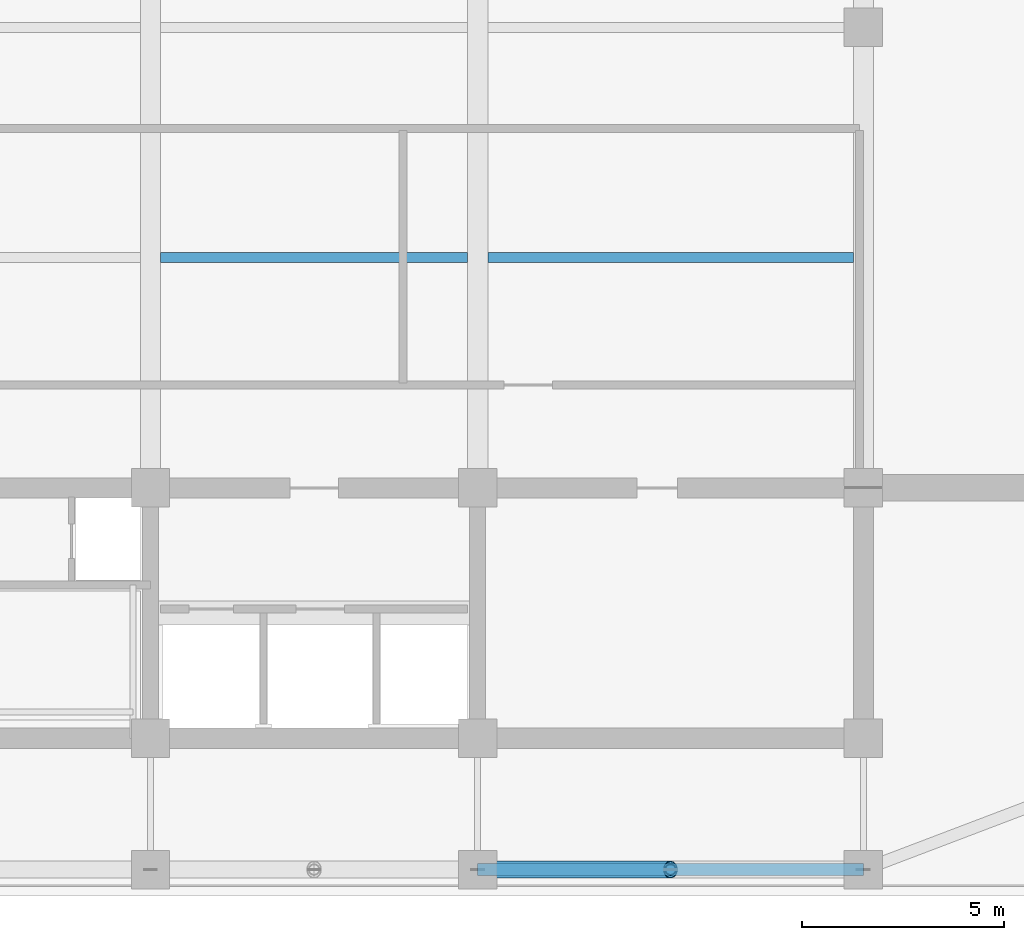
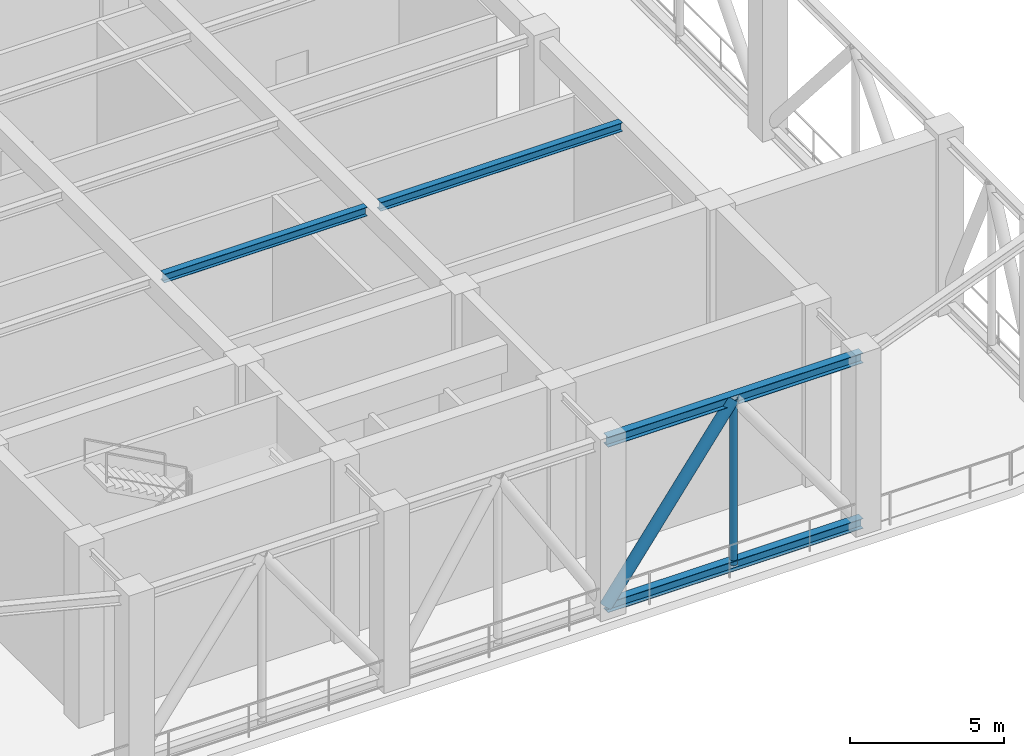
# One storey, part 3 of 20: 4 beams, 2 members.
"""IFC4 building model written with IfcOpenShell, lengths in metres."""

from ifc_helpers import new_model, si_unit, direction, frame, origin, origin_2d, place, context, subcontext, project, spatial, hollow_circle, i_section, extrude, material, material_profile, profile_set, type_object, element, save


model = new_model("IFC4")

# Units and contexts
model_context = context("Model", 3, precision=1e-05, world=origin(), true_north=direction((0.0, 1.0)))
body_context = subcontext(model_context, "Body", "Model", "MODEL_VIEW")
ifc_project = project(units=[si_unit("LENGTHUNIT", "METRE"), si_unit("AREAUNIT", "SQUARE_METRE"), si_unit("VOLUMEUNIT", "CUBIC_METRE"), si_unit("PLANEANGLEUNIT", "RADIAN"), si_unit("MASSUNIT", "GRAM", prefix="KILO")], contexts=[model_context])

# Site, building, storey
site_placement = place(None, origin())
site = spatial("IfcSite", under=ifc_project, at=site_placement, CompositionType="ELEMENT")
building_placement = place(site_placement, origin())
building = spatial("IfcBuilding", under=site, at=building_placement, Name="Svetorya Sky Lyceum", CompositionType="ELEMENT")
storey_placement = place(building_placement, frame((0.0, 0.0, 195.89990234375)))
storey = spatial("IfcBuildingStorey", under=building, at=storey_placement, Name="L49", CompositionType="ELEMENT", Elevation=195.89990234375)

# Beams
ifc_material = material(Name="Steel S355", Category="steel")
ifc_material_profile_1 = material_profile(ifc_material, i_section(OverallWidth=0.25, OverallDepth=0.345947265625, WebThickness=0.009521484375, FlangeThickness=0.014404296875, at=origin_2d()), Name="GOST 35Sh2")
ifc_profile_set_1 = profile_set([ifc_material_profile_1], Name="Steel S355")
beam_type_1 = type_object("IfcBeamType", Name="BM-STL-35SH2", PredefinedType="BEAM", material=ifc_profile_set_1)
beam_1_placement = place(storey_placement, frame((35.39990234375, 22.5, 6.76708984375), z_axis=(1.0, 0.0, 0.0), x_axis=(0.0, 1.0, 0.0)))
element("IfcBeam", 1, at=beam_1_placement, inside=storey, type_object=beam_type_1, Name="L49 Central Floor Joist CJ-1.2", PredefinedType="BEAM", context=body_context, shape_type="SweptSolid", body=[
    extrude(i_section(OverallWidth=0.25, OverallDepth=0.345947265625, WebThickness=0.009521484375, FlangeThickness=0.014404296875, at=origin_2d()), origin(), (0.0, 0.0, 1.0), 7.60009765625),
])
beam_2_placement = place(storey_placement, frame((43.5, 22.5, 6.76708984375), z_axis=(1.0, 0.0, 0.0), x_axis=(0.0, 1.0, 0.0)))
element("IfcBeam", 2, at=beam_2_placement, inside=storey, type_object=beam_type_1, Name="L49 Central Floor Joist CJ-1.3", PredefinedType="BEAM", context=body_context, shape_type="SweptSolid", body=[
    extrude(i_section(OverallWidth=0.25, OverallDepth=0.345947265625, WebThickness=0.009521484375, FlangeThickness=0.014404296875, at=origin_2d()), origin(), (0.0, 0.0, 1.0), 9.050048828125),
])
ifc_material_profile_2 = material_profile(ifc_material, i_section(OverallWidth=0.300048828125, OverallDepth=0.39404296875, WebThickness=0.010986328125, FlangeThickness=0.0166015625, at=origin_2d()), Name="GOST 40Sh2")
ifc_profile_set_2 = profile_set([ifc_material_profile_2], Name="Steel S355")
beam_type_2 = type_object("IfcBeamType", Name="BM-STL-40SH2", PredefinedType="BEAM", material=ifc_profile_set_2)
for number, where, z_axis, x_axis, name in (
    (3, (43.25, 7.35009765625, 0.197021484375), (1.0, 0.0, 0.0), (0.0, 1.0, 0.0), "L49 Belt Truss Bottom Chord S-3"),
    (4, (43.25, 7.35009765625, 6.7431640625), (1.0, 0.0, 0.0), (0.0, 1.0, 0.0), "L49 Belt Truss Top Chord S-3"),
):
    element("IfcBeam", number, at=place(storey_placement, frame(where, z_axis=z_axis, x_axis=x_axis)), inside=storey, type_object=beam_type_2, Name=name, PredefinedType="BEAM", context=body_context, shape_type="SweptSolid", body=[
        extrude(i_section(OverallWidth=0.300048828125, OverallDepth=0.39404296875, WebThickness=0.010986328125, FlangeThickness=0.0166015625, at=origin_2d()), origin(), (0.0, 0.0, 1.0), 9.550048828125),
    ])

# Members
ifc_material_profile_3 = material_profile(ifc_material, hollow_circle(Radius=0.212890625, WallThickness=0.01806640625, at=origin_2d()), Name="CHS 426x18")
ifc_profile_set_3 = profile_set([ifc_material_profile_3], Name="Steel S355")
member_type_1 = type_object("IfcMemberType", Name="MB-BRC-CHS426", PredefinedType="BRACE", material=ifc_profile_set_3)
member_1_placement = place(storey_placement, frame((43.25, 7.35009765625, 0.197021484375), z_axis=(0.589306984241, 0.0, 0.807909201782), x_axis=(0.0, 1.0, 0.0)))
element("IfcMember", 5, at=member_1_placement, inside=storey, type_object=member_type_1, Name="L49 Belt Truss Diagonal S-3A", PredefinedType="BRACE", context=body_context, shape_type="SweptSolid", body=[
    extrude(hollow_circle(Radius=0.212890625, WallThickness=0.01806640625, at=origin_2d()), origin(), (0.0, 0.0, 1.0), 8.1025390625),
])
ifc_material_profile_4 = material_profile(ifc_material, hollow_circle(Radius=0.136474609375, WallThickness=0.011962890625, at=origin_2d()), Name="CHS 273x12")
ifc_profile_set_4 = profile_set([ifc_material_profile_4], Name="Steel S355")
member_type_2 = type_object("IfcMemberType", Name="MB-STR-CHS273", PredefinedType="STRUT", material=ifc_profile_set_4)
member_2_placement = place(storey_placement, frame((48.02490234375, 7.35009765625, 0.197021484375), z_axis=(0.0, 0.0, 1.0), x_axis=(1.0, 0.0, 0.0)))
element("IfcMember", 6, at=member_2_placement, inside=storey, type_object=member_type_2, Name="L49 Belt Truss Post S-3", PredefinedType="STRUT", context=body_context, shape_type="SweptSolid", body=[
    extrude(hollow_circle(Radius=0.136474609375, WallThickness=0.011962890625, at=origin_2d()), origin(), (0.0, 0.0, 1.0), 6.546142578125),
])

save(model, "model.ifc")
